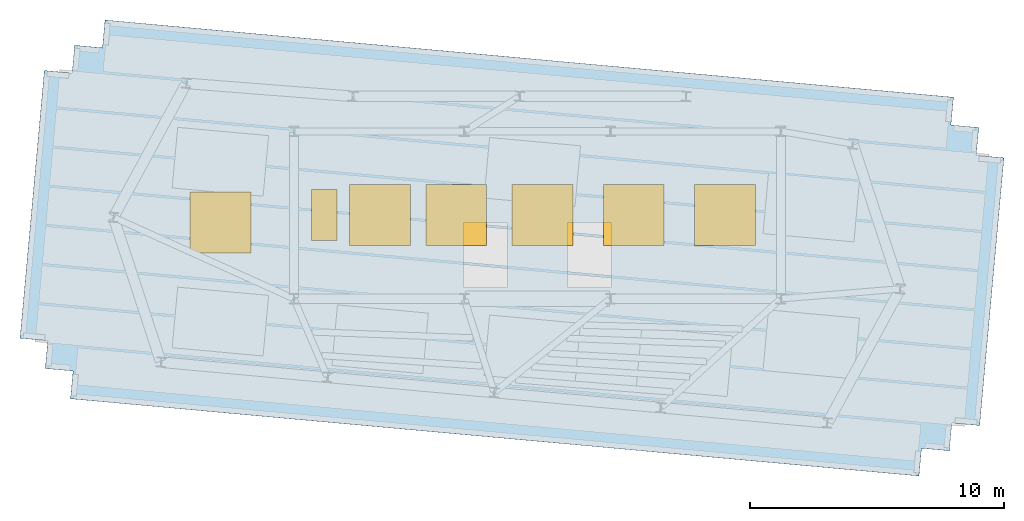
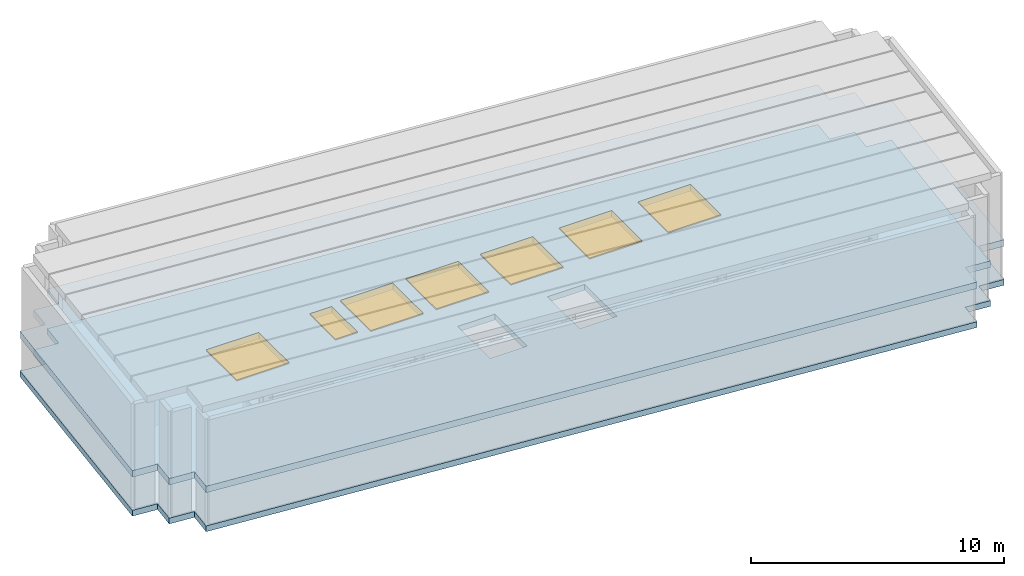
# One storey, part 2 of 4: 7 windows, 2 slabs, 7 openings.
"""IFC4 building model written with IfcOpenShell, lengths in metres."""

from ifc_helpers import new_model, si_unit, direction, frame, origin, origin_2d, place, context, subcontext, project, spatial, polyline, rectangle, outline, extrude, material, layer, layer_set, type_object, element, fill, save


model = new_model("IFC4")

# Units and contexts
model_context = context("Model", 3, precision=1e-05, world=origin(), true_north=direction((0.0, 1.0)))
body_context = subcontext(model_context, "Body", "Model", "MODEL_VIEW")
ifc_project = project(units=[si_unit("LENGTHUNIT", "METRE"), si_unit("AREAUNIT", "SQUARE_METRE"), si_unit("VOLUMEUNIT", "CUBIC_METRE"), si_unit("PLANEANGLEUNIT", "RADIAN"), si_unit("MASSUNIT", "GRAM", prefix="KILO")], contexts=[model_context])

# Site, building, storey
site_placement = place(None, origin())
site = spatial("IfcSite", under=ifc_project, at=site_placement, CompositionType="ELEMENT")
building_placement = place(site_placement, origin())
building = spatial("IfcBuilding", under=site, at=building_placement, Name="Astriad Promenade Condominiums", CompositionType="ELEMENT")
storey_placement = place(building_placement, frame((0.0, 0.0, 296.800048828125)))
storey = spatial("IfcBuildingStorey", under=building, at=storey_placement, Name="ROOF", CompositionType="ELEMENT", Elevation=296.800048828125)

# Slab, openings, windows
ifc_material_1 = material(Name="Concrete C50/60", Category="concrete")
ifc_layer_1 = layer(ifc_material_1, 0.320068359375)
ifc_layer_set_1 = layer_set([ifc_layer_1], Name="Concrete C50/60")
slab_type_1 = type_object("IfcSlabType", Name="CONCRETE CROWN CAP ROOF SLAB 320", PredefinedType="ROOF", material=ifc_layer_set_1)
slab_1_placement = place(storey_placement, frame((0.0, 0.0, 1.599853515625)))
slab_1 = element("IfcSlab", 1, at=slab_1_placement, inside=storey, type_object=slab_type_1, Name="Closed Orbital Ring Top Roof Cap Slab", PredefinedType="ROOF", context=body_context, shape_type="SweptSolid", body=[
    extrude(outline(polyline([(17.58935546875, 13.45361328125), (51.051025390625, 10.408203125), (51.15087890625, 11.503662109375), (52.246337890625, 11.404052734375), (52.345947265625, 12.49951171875), (53.44140625, 12.39990234375), (54.402099609375, 22.956298828125), (53.306640625, 23.055908203125), (53.406494140625, 24.1513671875), (52.310791015625, 24.2509765625), (52.41064453125, 25.346435546875), (18.948974609375, 28.391845703125), (18.84912109375, 27.29638671875), (17.753662109375, 27.39599609375), (17.654052734375, 26.300537109375), (16.55859375, 26.400146484375), (15.597900390625, 15.84375), (16.693359375, 15.744140625), (16.593505859375, 14.648681640625), (17.689208984375, 14.549072265625), (17.58935546875, 13.45361328125)])), origin(), (0.0, 0.0, 1.0), 0.320068359375),
])
opening_1_placement = place(slab_1_placement, frame((23.5, 20.39990234375, 0.0)))
opening_1 = element("IfcOpeningElement", 2, at=opening_1_placement, cuts=slab_1, Name="Opening SKY-CROWN-2424", PredefinedType="OPENING", context=body_context, shape_type="SweptSolid", body=[
    extrude(rectangle(XDim=2.39990234375, YDim=2.39990234375, at=origin_2d()), origin(), (0.0, 0.0, 1.0), 0.320068359375),
])
opening_2_placement = place(slab_1_placement, frame((29.800048828125, 20.699951171875, 0.0)))
opening_2 = element("IfcOpeningElement", 3, at=opening_2_placement, cuts=slab_1, Name="Opening SKY-CROWN-2424", PredefinedType="OPENING", context=body_context, shape_type="SweptSolid", body=[
    extrude(rectangle(XDim=2.39990234375, YDim=2.39990234375, at=origin_2d()), origin(), (0.0, 0.0, 1.0), 0.320068359375),
])
opening_3_placement = place(slab_1_placement, frame((32.800048828125, 20.699951171875, 0.0)))
opening_3 = element("IfcOpeningElement", 4, at=opening_3_placement, cuts=slab_1, Name="Opening SKY-CROWN-2424", PredefinedType="OPENING", context=body_context, shape_type="SweptSolid", body=[
    extrude(rectangle(XDim=2.39990234375, YDim=2.39990234375, at=origin_2d()), origin(), (0.0, 0.0, 1.0), 0.320068359375),
])
opening_4_placement = place(slab_1_placement, frame((36.199951171875, 20.699951171875, 0.0)))
opening_4 = element("IfcOpeningElement", 5, at=opening_4_placement, cuts=slab_1, Name="Opening SKY-CROWN-2424", PredefinedType="OPENING", context=body_context, shape_type="SweptSolid", body=[
    extrude(rectangle(XDim=2.39990234375, YDim=2.39990234375, at=origin_2d()), origin(), (0.0, 0.0, 1.0), 0.320068359375),
])
opening_5_placement = place(slab_1_placement, frame((39.800048828125, 20.699951171875, 0.0)))
opening_5 = element("IfcOpeningElement", 6, at=opening_5_placement, cuts=slab_1, Name="Opening SKY-CROWN-2424", PredefinedType="OPENING", context=body_context, shape_type="SweptSolid", body=[
    extrude(rectangle(XDim=2.39990234375, YDim=2.39990234375, at=origin_2d()), origin(), (0.0, 0.0, 1.0), 0.320068359375),
])
opening_6_placement = place(slab_1_placement, frame((43.39990234375, 20.699951171875, 0.0)))
opening_6 = element("IfcOpeningElement", 7, at=opening_6_placement, cuts=slab_1, Name="Opening SKY-CROWN-2424", PredefinedType="OPENING", context=body_context, shape_type="SweptSolid", body=[
    extrude(rectangle(XDim=2.39990234375, YDim=2.39990234375, at=origin_2d()), origin(), (0.0, 0.0, 1.0), 0.320068359375),
])
opening_7_placement = place(slab_1_placement, frame((27.60009765625, 20.699951171875, 0.0)))
opening_7 = element("IfcOpeningElement", 8, at=opening_7_placement, cuts=slab_1, Name="Opening RH-1020", PredefinedType="OPENING", context=body_context, shape_type="SweptSolid", body=[
    extrude(rectangle(XDim=1.0, YDim=2.02001953125, at=origin_2d()), origin(), (0.0, 0.0, 1.0), 0.320068359375),
])
ifc_material_2 = material(Name="Insulated Aluminium Roof Access Hatch", Category="aluminium")
window_type_1 = type_object("IfcWindowType", Name="RH-1020-HATCH", PartitioningType="SINGLE_PANEL", PredefinedType="SKYLIGHT", material=ifc_material_2)
window_1_placement = place(opening_7_placement, frame((0.0, 0.0, 0.27001953125)))
window_1 = element("IfcWindow", 9, at=window_1_placement, inside=storey, type_object=window_type_1, Name="Roof Access Hatch RH-ROOF-01", OverallHeight=2.02001953125, OverallWidth=1.0, PartitioningType="SINGLE_PANEL", PredefinedType="SKYLIGHT", context=body_context, shape_type="SweptSolid", body=[
    extrude(rectangle(XDim=1.0, YDim=2.02001953125, at=origin_2d()), origin(), (0.0, 0.0, 1.0), 0.050048828125),
])
fill(opening_7, window_1)
ifc_material_3 = material(Name="Laminated Acoustic Skylight Glass", Category="glass")
window_type_2 = type_object("IfcWindowType", Name="SKY-CROWN-2424", PartitioningType="SINGLE_PANEL", PredefinedType="SKYLIGHT", material=ifc_material_3)
window_2_placement = place(opening_1_placement, frame((0.0, 0.0, 0.27001953125)))
window_2 = element("IfcWindow", 10, at=window_2_placement, inside=storey, type_object=window_type_2, Name="SKY-ROOF-01", OverallHeight=2.39990234375, OverallWidth=2.39990234375, PartitioningType="SINGLE_PANEL", PredefinedType="SKYLIGHT", context=body_context, shape_type="SweptSolid", body=[
    extrude(rectangle(XDim=2.39990234375, YDim=2.39990234375, at=origin_2d()), origin(), (0.0, 0.0, 1.0), 0.050048828125),
])
fill(opening_1, window_2)
window_3_placement = place(opening_2_placement, frame((0.0, 0.0, 0.27001953125)))
window_3 = element("IfcWindow", 11, at=window_3_placement, inside=storey, type_object=window_type_2, Name="SKY-ROOF-02", OverallHeight=2.39990234375, OverallWidth=2.39990234375, PartitioningType="SINGLE_PANEL", PredefinedType="SKYLIGHT", context=body_context, shape_type="SweptSolid", body=[
    extrude(rectangle(XDim=2.39990234375, YDim=2.39990234375, at=origin_2d()), origin(), (0.0, 0.0, 1.0), 0.050048828125),
])
fill(opening_2, window_3)
window_4_placement = place(opening_3_placement, frame((0.0, 0.0, 0.27001953125)))
window_4 = element("IfcWindow", 12, at=window_4_placement, inside=storey, type_object=window_type_2, Name="SKY-ROOF-03", OverallHeight=2.39990234375, OverallWidth=2.39990234375, PartitioningType="SINGLE_PANEL", PredefinedType="SKYLIGHT", context=body_context, shape_type="SweptSolid", body=[
    extrude(rectangle(XDim=2.39990234375, YDim=2.39990234375, at=origin_2d()), origin(), (0.0, 0.0, 1.0), 0.050048828125),
])
fill(opening_3, window_4)
window_5_placement = place(opening_4_placement, frame((0.0, 0.0, 0.27001953125)))
window_5 = element("IfcWindow", 13, at=window_5_placement, inside=storey, type_object=window_type_2, Name="SKY-ROOF-04", OverallHeight=2.39990234375, OverallWidth=2.39990234375, PartitioningType="SINGLE_PANEL", PredefinedType="SKYLIGHT", context=body_context, shape_type="SweptSolid", body=[
    extrude(rectangle(XDim=2.39990234375, YDim=2.39990234375, at=origin_2d()), origin(), (0.0, 0.0, 1.0), 0.050048828125),
])
fill(opening_4, window_5)
window_6_placement = place(opening_5_placement, frame((0.0, 0.0, 0.27001953125)))
window_6 = element("IfcWindow", 14, at=window_6_placement, inside=storey, type_object=window_type_2, Name="SKY-ROOF-05", OverallHeight=2.39990234375, OverallWidth=2.39990234375, PartitioningType="SINGLE_PANEL", PredefinedType="SKYLIGHT", context=body_context, shape_type="SweptSolid", body=[
    extrude(rectangle(XDim=2.39990234375, YDim=2.39990234375, at=origin_2d()), origin(), (0.0, 0.0, 1.0), 0.050048828125),
])
fill(opening_5, window_6)
window_7_placement = place(opening_6_placement, frame((0.0, 0.0, 0.27001953125)))
window_7 = element("IfcWindow", 15, at=window_7_placement, inside=storey, type_object=window_type_2, Name="SKY-ROOF-06", OverallHeight=2.39990234375, OverallWidth=2.39990234375, PartitioningType="SINGLE_PANEL", PredefinedType="SKYLIGHT", context=body_context, shape_type="SweptSolid", body=[
    extrude(rectangle(XDim=2.39990234375, YDim=2.39990234375, at=origin_2d()), origin(), (0.0, 0.0, 1.0), 0.050048828125),
])
fill(opening_6, window_7)

# Slab
ifc_layer_2 = layer(ifc_material_1, 0.280029296875)
ifc_layer_set_2 = layer_set([ifc_layer_2], Name="Concrete C50/60")
slab_type_2 = type_object("IfcSlabType", Name="CONCRETE TERRACE AND SKY GARDEN ROOF SLAB 280", PredefinedType="ROOF", material=ifc_layer_set_2)
slab_2_placement = place(storey_placement, frame((0.0, 0.0, -0.280029296875)))
element("IfcSlab", 16, at=slab_2_placement, inside=storey, type_object=slab_type_2, Name="Crown Lower Roof Deck Slab (ROOF)", PredefinedType="ROOF", context=body_context, shape_type="SweptSolid", body=[
    extrude(outline(polyline([(17.58935546875, 13.45361328125), (51.051025390625, 10.408203125), (51.15087890625, 11.503662109375), (52.246337890625, 11.404052734375), (52.345947265625, 12.49951171875), (53.44140625, 12.39990234375), (54.402099609375, 22.956298828125), (53.306640625, 23.055908203125), (53.406494140625, 24.1513671875), (52.310791015625, 24.2509765625), (52.41064453125, 25.346435546875), (18.948974609375, 28.391845703125), (18.84912109375, 27.29638671875), (17.753662109375, 27.39599609375), (17.654052734375, 26.300537109375), (16.55859375, 26.400146484375), (15.597900390625, 15.84375), (16.693359375, 15.744140625), (16.593505859375, 14.648681640625), (17.689208984375, 14.549072265625), (17.58935546875, 13.45361328125)]), holes=[polyline([(33.10009765625, 17.85009765625), (34.800048828125, 17.85009765625), (34.800048828125, 20.39990234375), (33.10009765625, 20.39990234375), (33.10009765625, 17.85009765625)]), polyline([(37.199951171875, 17.85009765625), (38.89990234375, 17.85009765625), (38.89990234375, 20.39990234375), (37.199951171875, 20.39990234375), (37.199951171875, 17.85009765625)])]), origin(), (0.0, 0.0, 1.0), 0.280029296875),
])

save(model, "model.ifc")
